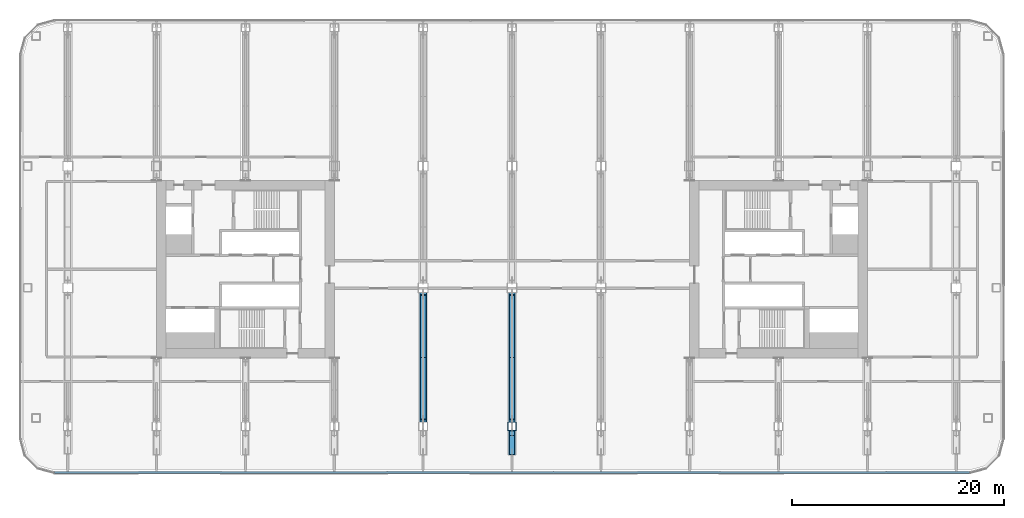
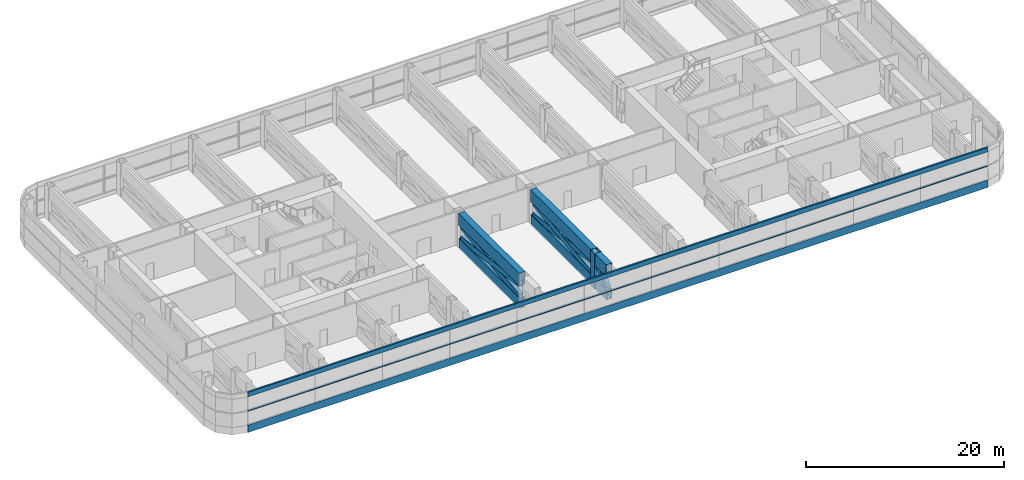
# One storey, part 6 of 31: 15 members, 1 element without a shape of its own.
"""IFC4 building model written with IfcOpenShell, lengths in metres."""

from ifc_helpers import new_model, si_unit, direction, frame, origin, origin_2d, place, context, subcontext, project, spatial, rectangle, hollow_rectangle, extrude, material, layer, layer_set, material_profile, profile_set, type_object, element, aggregate, save


model = new_model("IFC4")

# Units and contexts
model_context = context("Model", 3, precision=1e-05, world=origin(), true_north=direction((0.0, 1.0)))
body_context = subcontext(model_context, "Body", "Model", "MODEL_VIEW")
ifc_project = project(units=[si_unit("LENGTHUNIT", "METRE"), si_unit("AREAUNIT", "SQUARE_METRE"), si_unit("VOLUMEUNIT", "CUBIC_METRE"), si_unit("PLANEANGLEUNIT", "RADIAN"), si_unit("MASSUNIT", "GRAM", prefix="KILO")], contexts=[model_context])

# Site, building, storey
site_placement = place(None, origin())
site = spatial("IfcSite", under=ifc_project, at=site_placement, CompositionType="ELEMENT")
building_placement = place(site_placement, origin())
building = spatial("IfcBuilding", under=site, at=building_placement, Name="Hakoniwa Tower and Hamabe Station Hall", CompositionType="ELEMENT")
storey_placement = place(building_placement, frame((0.0, 0.0, 120.199951171875)))
storey = spatial("IfcBuildingStorey", under=building, at=storey_placement, Name="L34", CompositionType="ELEMENT", Elevation=120.199951171875)

# Curtain wall, members
ifc_material_1 = material(Name="Dark low-e laminated glass", Category="glass")
ifc_layer = layer(ifc_material_1, 0.199951171875)
ifc_layer_set = layer_set([ifc_layer], Name="CW-6 PLANT LOUVRE")
curtain_wall_type = type_object("IfcCurtainWallType", Name="CW-6 PLANT LOUVRE", PredefinedType="NOTDEFINED", material=ifc_layer_set)
curtain_wall_placement = place(storey_placement, origin())
curtain_wall = element("IfcCurtainWall", 1, at=curtain_wall_placement, inside=storey, type_object=curtain_wall_type, Name="CW-6 curtain wall", PredefinedType="NOTDEFINED")
ifc_material_2 = material(Name="Aluminium 6063-T5 black anodised", Category="aluminium")
ifc_material_profile_1 = material_profile(ifc_material_2, rectangle(XDim=0.199951171875, YDim=0.550048828125, at=origin_2d()), Name="CW HEAD BAND 550X200")
ifc_profile_set_1 = profile_set([ifc_material_profile_1], Name="Aluminium 6063-T5 black anodised")
member_type_1 = type_object("IfcMemberType", Name="CW HEAD BAND 550X200", PredefinedType="USERDEFINED", material=ifc_profile_set_1)
member_1_placement = place(storey_placement, frame((-43.239501953125, -19.199951171875, 4.125), z_axis=(1.0, 0.0, 0.0), x_axis=(0.0, 1.0, 0.0)))
member_1 = element("IfcMember", 2, at=member_1_placement, type_object=member_type_1, Name="CW-6 transom", ObjectType="TRANSOM", PredefinedType="USERDEFINED", context=body_context, shape_type="SweptSolid", body=[
    extrude(rectangle(XDim=0.199951171875, YDim=0.550048828125, at=origin_2d()), origin(), (0.0, 0.0, 1.0), 86.47900390625),
])
ifc_material_3 = material(Name="Aluminium 6063-T5 black anodised", Category="aluminium")
ifc_material_profile_2 = material_profile(ifc_material_3, rectangle(XDim=0.199951171875, YDim=0.1201171875, at=origin_2d()), Name="CW MID TRANSOM 120X200")
ifc_profile_set_2 = profile_set([ifc_material_profile_2], Name="Aluminium 6063-T5 black anodised")
member_type_2 = type_object("IfcMemberType", Name="CW MID TRANSOM 120X200", PredefinedType="USERDEFINED", material=ifc_profile_set_2)
member_2_placement = place(storey_placement, frame((-43.239501953125, -19.199951171875, 2.10009765625), z_axis=(1.0, 0.0, 0.0), x_axis=(0.0, 1.0, 0.0)))
member_2 = element("IfcMember", 3, at=member_2_placement, type_object=member_type_2, Name="CW-6 transom", ObjectType="TRANSOM", PredefinedType="USERDEFINED", context=body_context, shape_type="SweptSolid", body=[
    extrude(rectangle(XDim=0.199951171875, YDim=0.1201171875, at=origin_2d()), origin(), (0.0, 0.0, 1.0), 86.47900390625),
])
ifc_material_4 = material(Name="Aluminium 6063-T5 black anodised", Category="aluminium")
ifc_material_profile_3 = material_profile(ifc_material_4, rectangle(XDim=0.199951171875, YDim=0.89990234375, at=origin_2d()), Name="CW SLAB-EDGE BAND 900X200")
ifc_profile_set_3 = profile_set([ifc_material_profile_3], Name="Aluminium 6063-T5 black anodised")
member_type_3 = type_object("IfcMemberType", Name="CW SLAB-EDGE BAND 900X200", PredefinedType="USERDEFINED", material=ifc_profile_set_3)
member_3_placement = place(storey_placement, frame((-43.239501953125, -19.199951171875, -0.099853515625), z_axis=(1.0, 0.0, 0.0), x_axis=(0.0, 1.0, 0.0)))
member_3 = element("IfcMember", 4, at=member_3_placement, type_object=member_type_3, Name="CW-6 transom", ObjectType="TRANSOM", PredefinedType="USERDEFINED", context=body_context, shape_type="SweptSolid", body=[
    extrude(rectangle(XDim=0.199951171875, YDim=0.89990234375, at=origin_2d()), origin(), (0.0, 0.0, 1.0), 86.47900390625),
])
aggregate(curtain_wall, [member_3, member_2, member_1])

# Members
ifc_material_5 = material(Name="Steel SN490C", Category="steel")
ifc_material_profile_4 = material_profile(ifc_material_5, hollow_rectangle(XDim=0.60009765625, YDim=1.300048828125, WallThickness=0.050048828125, at=origin_2d()), Name="BX-1300x600x50")
ifc_profile_set_4 = profile_set([ifc_material_profile_4], Name="Steel SN490C")
member_type_4 = type_object("IfcMemberType", Name="TRUSS CHORD BX-1300x600x50", PredefinedType="CHORD", material=ifc_profile_set_4)
for number, where, z_axis, x_axis, name in (
    (5, (-8.39990234375, -14.449951171875, 0.35009765625), (0.0, 1.0, 0.0), (-1.0, 0.0, 0.0), "Truss T2-11-BC01"),
    (6, (0.0, -14.449951171875, 0.35009765625), (0.0, 1.0, 0.0), (-1.0, 0.0, 0.0), "Truss T2-12-BC01"),
):
    element("IfcMember", number, at=place(storey_placement, frame(where, z_axis=z_axis, x_axis=x_axis)), inside=storey, type_object=member_type_4, Name=name, PredefinedType="CHORD", context=body_context, shape_type="SweptSolid", body=[
        extrude(hollow_rectangle(XDim=0.60009765625, YDim=1.300048828125, WallThickness=0.050048828125, at=origin_2d()), origin(), (0.0, 0.0, 1.0), 12.25),
    ])
member_4_placement = place(storey_placement, frame((0.0, -17.550048828125, 0.35009765625), z_axis=(0.0, 1.0, 0.0), x_axis=(-1.0, 0.0, 0.0)))
element("IfcMember", 7, at=member_4_placement, inside=storey, type_object=member_type_4, Name="Truss T2-12-BCL", PredefinedType="CHORD", context=body_context, shape_type="SweptSolid", body=[
    extrude(hollow_rectangle(XDim=0.60009765625, YDim=1.300048828125, WallThickness=0.050048828125, at=origin_2d()), origin(), (0.0, 0.0, 1.0), 2.300048828125),
])
ifc_material_6 = material(Name="Steel SN490C", Category="steel")
ifc_material_profile_5 = material_profile(ifc_material_6, hollow_rectangle(XDim=0.699951171875, YDim=1.5, WallThickness=0.054931640625, at=origin_2d()), Name="BX-1500x700x55")
ifc_profile_set_5 = profile_set([ifc_material_profile_5], Name="Steel SN490C")
member_type_5 = type_object("IfcMemberType", Name="TRUSS CHORD BX-1500x700x55", PredefinedType="CHORD", material=ifc_profile_set_5)
for number, where, z_axis, x_axis, name in (
    (8, (-8.39990234375, -14.449951171875, 3.35009765625), (0.0, 1.0, 0.0), (-1.0, 0.0, 0.0), "Truss T2-11-TC01"),
    (9, (0.0, -14.449951171875, 3.35009765625), (0.0, 1.0, 0.0), (-1.0, 0.0, 0.0), "Truss T2-12-TC01"),
):
    element("IfcMember", number, at=place(storey_placement, frame(where, z_axis=z_axis, x_axis=x_axis)), inside=storey, type_object=member_type_5, Name=name, PredefinedType="CHORD", context=body_context, shape_type="SweptSolid", body=[
        extrude(hollow_rectangle(XDim=0.699951171875, YDim=1.5, WallThickness=0.054931640625, at=origin_2d()), origin(), (0.0, 0.0, 1.0), 12.25),
    ])
member_5_placement = place(storey_placement, frame((0.0, -17.550048828125, 3.35009765625), z_axis=(0.0, 1.0, 0.0), x_axis=(-1.0, 0.0, 0.0)))
element("IfcMember", 10, at=member_5_placement, inside=storey, type_object=member_type_5, Name="Truss T2-12-TCL", PredefinedType="CHORD", context=body_context, shape_type="SweptSolid", body=[
    extrude(hollow_rectangle(XDim=0.699951171875, YDim=1.5, WallThickness=0.054931640625, at=origin_2d()), origin(), (0.0, 0.0, 1.0), 2.300048828125),
])
ifc_material_7 = material(Name="Steel SN490C", Category="steel")
ifc_material_profile_6 = material_profile(ifc_material_7, hollow_rectangle(XDim=0.5, YDim=0.699951171875, WallThickness=0.031982421875, at=origin_2d()), Name="BX-700x500x32")
ifc_profile_set_6 = profile_set([ifc_material_profile_6], Name="Steel SN490C")
member_type_6 = type_object("IfcMemberType", Name="TRUSS DIAGONAL BX-700x500x32", PredefinedType="BRACE", material=ifc_profile_set_6)
for number, where, z_axis, x_axis, name in (
    (11, (-8.39990234375, -14.199951171875, 1.0), (0.0, 0.99085470683, 0.134933131411), (-1.0, 0.0, 0.0), "Truss T2-11-D01a"),
    (12, (-8.39990234375, -14.199951171875, 2.60009765625), (0.0, 0.99085470683, -0.134933131411), (-1.0, 0.0, 0.0), "Truss T2-11-D01b"),
    (13, (0.0, -14.199951171875, 1.0), (0.0, 0.99085470683, 0.134933131411), (-1.0, 0.0, 0.0), "Truss T2-12-D01a"),
    (14, (0.0, -14.199951171875, 2.60009765625), (0.0, 0.99085470683, -0.134933131411), (-1.0, 0.0, 0.0), "Truss T2-12-D01b"),
):
    element("IfcMember", number, at=place(storey_placement, frame(where, z_axis=z_axis, x_axis=x_axis)), inside=storey, type_object=member_type_6, Name=name, PredefinedType="BRACE", context=body_context, shape_type="SweptSolid", body=[
        extrude(hollow_rectangle(XDim=0.5, YDim=0.699951171875, WallThickness=0.031982421875, at=origin_2d()), origin(), (0.0, 0.0, 1.0), 11.8583984375),
    ])
member_6_placement = place(storey_placement, frame((0.0, -17.300048828125, 1.0), z_axis=(0.0, 0.747398132966, 0.664376422549), x_axis=(-1.0, 0.0, 0.0)))
element("IfcMember", 15, at=member_6_placement, inside=storey, type_object=member_type_6, Name="Truss T2-12-DLa", PredefinedType="BRACE", context=body_context, shape_type="SweptSolid", body=[
    extrude(hollow_rectangle(XDim=0.5, YDim=0.699951171875, WallThickness=0.031982421875, at=origin_2d()), origin(), (0.0, 0.0, 1.0), 2.408447265625),
])
ifc_material_8 = material(Name="Steel SN490C", Category="steel")
ifc_material_profile_7 = material_profile(ifc_material_8, hollow_rectangle(XDim=0.800048828125, YDim=0.800048828125, WallThickness=0.031982421875, at=origin_2d()), Name="BX-800x800x32")
ifc_profile_set_7 = profile_set([ifc_material_profile_7], Name="Steel SN490C")
member_type_7 = type_object("IfcMemberType", Name="TRUSS POST BX-800x800x32", PredefinedType="POST", material=ifc_profile_set_7)
member_7_placement = place(storey_placement, frame((0.0, -14.85009765625, -0.300048828125), z_axis=(0.0, 0.0, 1.0), x_axis=(1.0, 0.0, 0.0)))
element("IfcMember", 16, at=member_7_placement, inside=storey, type_object=member_type_7, Name="Truss T2-12-P01", PredefinedType="POST", context=body_context, shape_type="SweptSolid", body=[
    extrude(hollow_rectangle(XDim=0.800048828125, YDim=0.800048828125, WallThickness=0.031982421875, at=origin_2d()), origin(), (0.0, 0.0, 1.0), 4.400146484375),
])

save(model, "model.ifc")
